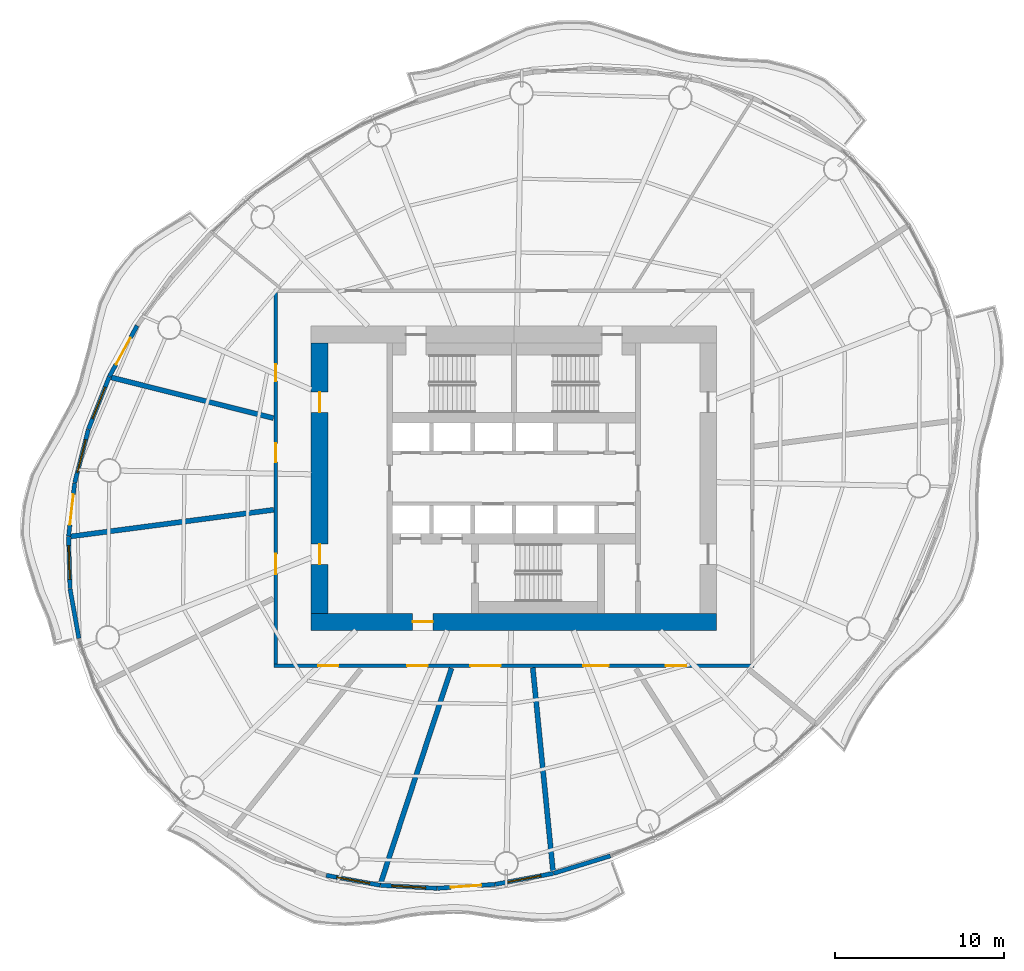
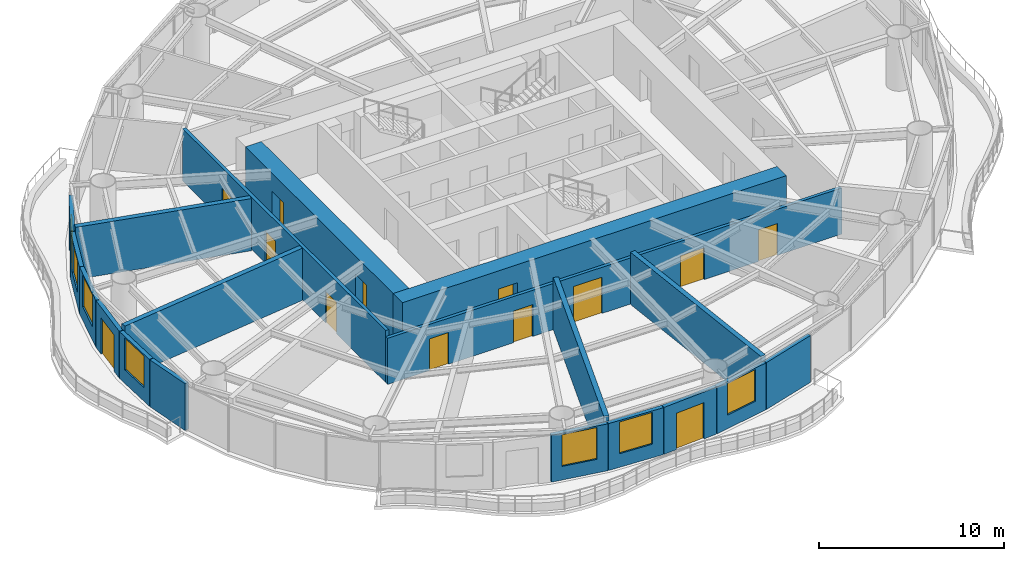
# One storey, part 8 of 14: 19 walls, 14 doors, 6 windows, 20 openings.
"""IFC4 building model written with IfcOpenShell, lengths in metres."""

from ifc_helpers import new_model, si_unit, direction, frame, frame_2d, origin, place, context, subcontext, project, spatial, rectangle, extrude, material, layer, layer_set, type_object, element, fill, save


model = new_model("IFC4")

# Units and contexts
model_context = context("Model", 3, precision=1e-05, world=origin(), true_north=direction((0.0, 1.0)))
body_context = subcontext(model_context, "Body", "Model", "MODEL_VIEW")
ifc_project = project(units=[si_unit("LENGTHUNIT", "METRE"), si_unit("AREAUNIT", "SQUARE_METRE"), si_unit("VOLUMEUNIT", "CUBIC_METRE"), si_unit("PLANEANGLEUNIT", "RADIAN"), si_unit("MASSUNIT", "GRAM", prefix="KILO")], contexts=[model_context])

# Site, building, storey
site_placement = place(None, origin())
site = spatial("IfcSite", under=ifc_project, at=site_placement, CompositionType="ELEMENT")
building_placement = place(site_placement, origin())
building = spatial("IfcBuilding", under=site, at=building_placement, Name="Vermilion Reach Broadcast Tower", CompositionType="ELEMENT")
storey_placement = place(building_placement, frame((0.0, 0.0, 165.0)))
storey = spatial("IfcBuildingStorey", under=building, at=storey_placement, Name="L39", CompositionType="ELEMENT", Elevation=165.0)

# Wall, opening, door
ifc_material_1 = material(Name="Concrete C70", Category="concrete")
ifc_layer_1 = layer(ifc_material_1, 1.0)
ifc_layer_set_1 = layer_set([ifc_layer_1], Name="Core outer wall 1000 mm Concrete C70")
wall_type_1 = type_object("IfcWallType", Name="Core outer wall 1000 mm Concrete C70", PredefinedType="SHEAR", material=ifc_layer_set_1)
wall_1_placement = place(storey_placement, frame((-18.0, -8.5, 0.0), z_axis=(0.0, 0.0, 1.0), x_axis=(1.0, 0.0, 0.0)))
wall_1 = element("IfcWall", 1, at=wall_1_placement, inside=storey, type_object=wall_type_1, Name="L39 core wall os", PredefinedType="SHEAR", context=body_context, shape_type="SweptSolid", body=[
    extrude(rectangle(XDim=24.0, YDim=1.0, at=frame_2d((12.0, 0.0))), origin(), (0.0, 0.0, 1.0), 3.300048828125),
])
opening_1_placement = place(wall_1_placement, frame((6.0, 0.0, 0.0)))
opening_1 = element("IfcOpeningElement", 2, at=opening_1_placement, cuts=wall_1, Name="Opening D02", PredefinedType="OPENING", context=body_context, shape_type="SweptSolid", body=[
    extrude(rectangle(XDim=1.199951171875, YDim=2.10009765625, at=frame_2d((0.60009765625, 1.050048828125))), frame((0.0, 0.510009765625, 0.0), z_axis=(0.0, -1.0, 0.0), x_axis=(1.0, 0.0, 0.0)), (0.0, 0.0, 1.0), 1.02001953125),
])
ifc_material_2 = material(Name="Painted steel fire door", Category="steel")
door_type_1 = type_object("IfcDoorType", Name="Firefighting lobby door 1200 x 2100", OperationType="DOUBLE_DOOR_SINGLE_SWING", PredefinedType="NOTDEFINED", material=ifc_material_2)
door_1_placement = place(opening_1_placement, origin())
door_1 = element("IfcDoor", 3, at=door_1_placement, inside=storey, type_object=door_type_1, Name="L39 ffdoor door FFL", OperationType="DOUBLE_DOOR_SINGLE_SWING", OverallHeight=2.10009765625, OverallWidth=1.199951171875, PredefinedType="NOTDEFINED", context=body_context, shape_type="SweptSolid", body=[
    extrude(rectangle(XDim=1.199951171875, YDim=2.10009765625, at=frame_2d((0.60009765625, 1.050048828125))), frame((0.0, 0.02490234375, 0.0), z_axis=(0.0, -1.0, 0.0), x_axis=(1.0, 0.0, 0.0)), (0.0, 0.0, 1.0), 0.050048828125),
])
fill(opening_1, door_1)

# Wall, openings, doors
wall_2_placement = place(storey_placement, frame((-17.5, 8.0, 0.0), z_axis=(0.0, 0.0, 1.0), x_axis=(0.0, -1.0, 0.0)))
wall_2 = element("IfcWall", 4, at=wall_2_placement, inside=storey, type_object=wall_type_1, Name="L39 core wall ow", PredefinedType="SHEAR", context=body_context, shape_type="SweptSolid", body=[
    extrude(rectangle(XDim=16.0, YDim=1.0, at=frame_2d((8.0, 0.0))), origin(), (0.0, 0.0, 1.0), 3.300048828125),
])
opening_2_placement = place(wall_2_placement, frame((11.89990234375, 0.0, 0.0)))
opening_2 = element("IfcOpeningElement", 5, at=opening_2_placement, cuts=wall_2, Name="Opening D03", PredefinedType="OPENING", context=body_context, shape_type="SweptSolid", body=[
    extrude(rectangle(XDim=1.199951171875, YDim=2.10009765625, at=frame_2d((0.60009765625, 1.050048828125))), frame((0.0, 0.510009765625, 0.0), z_axis=(0.0, -1.0, 0.0), x_axis=(1.0, 0.0, 0.0)), (0.0, 0.0, 1.0), 1.02001953125),
])
opening_3_placement = place(wall_2_placement, frame((2.89990234375, 0.0, 0.0)))
opening_3 = element("IfcOpeningElement", 6, at=opening_3_placement, cuts=wall_2, Name="Opening D03", PredefinedType="OPENING", context=body_context, shape_type="SweptSolid", body=[
    extrude(rectangle(XDim=1.199951171875, YDim=2.10009765625, at=frame_2d((0.60009765625, 1.050048828125))), frame((0.0, 0.510009765625, 0.0), z_axis=(0.0, -1.0, 0.0), x_axis=(1.0, 0.0, 0.0)), (0.0, 0.0, 1.0), 1.02001953125),
])
ifc_material_3 = material(Name="Painted steel fire door", Category="steel")
door_type_2 = type_object("IfcDoorType", Name="Core lobby door 1200 x 2100", OperationType="DOUBLE_DOOR_SINGLE_SWING", PredefinedType="NOTDEFINED", material=ifc_material_3)
door_2_placement = place(opening_2_placement, origin())
door_2 = element("IfcDoor", 7, at=door_2_placement, inside=storey, type_object=door_type_2, Name="L39 slot door W0", OperationType="DOUBLE_DOOR_SINGLE_SWING", OverallHeight=2.10009765625, OverallWidth=1.199951171875, PredefinedType="NOTDEFINED", context=body_context, shape_type="SweptSolid", body=[
    extrude(rectangle(XDim=1.199951171875, YDim=2.10009765625, at=frame_2d((0.60009765625, 1.050048828125))), frame((0.0, 0.02490234375, 0.0), z_axis=(0.0, -1.0, 0.0), x_axis=(1.0, 0.0, 0.0)), (0.0, 0.0, 1.0), 0.050048828125),
])
fill(opening_2, door_2)
door_3_placement = place(opening_3_placement, origin())
door_3 = element("IfcDoor", 8, at=door_3_placement, inside=storey, type_object=door_type_2, Name="L39 slot door W1", OperationType="DOUBLE_DOOR_SINGLE_SWING", OverallHeight=2.10009765625, OverallWidth=1.199951171875, PredefinedType="NOTDEFINED", context=body_context, shape_type="SweptSolid", body=[
    extrude(rectangle(XDim=1.199951171875, YDim=2.10009765625, at=frame_2d((0.60009765625, 1.050048828125))), frame((0.0, 0.02490234375, 0.0), z_axis=(0.0, -1.0, 0.0), x_axis=(1.0, 0.0, 0.0)), (0.0, 0.0, 1.0), 0.050048828125),
])
fill(opening_3, door_3)

ifc_material_4 = material(Name="Fire-rated gypsum board partition")
ifc_layer_2 = layer(ifc_material_4, 0.199951171875)
ifc_layer_set_2 = layer_set([ifc_layer_2], Name="Corridor wall 200 fire-rated")
wall_type_2 = type_object("IfcWallType", Name="Corridor wall 200 fire-rated", PredefinedType="PARTITIONING", material=ifc_layer_set_2)
wall_3_placement = place(storey_placement, frame((-20.10009765625, -11.0, 0.0), z_axis=(0.0, 0.0, 1.0), x_axis=(0.0, 1.0, 0.0)))
wall_3 = element("IfcWall", 9, at=wall_3_placement, inside=storey, type_object=wall_type_2, Name="Corridor wall 39.W", PredefinedType="PARTITIONING", context=body_context, shape_type="SweptSolid", body=[
    extrude(rectangle(XDim=22.0, YDim=0.199951171875, at=frame_2d((11.0, 0.0))), origin(), (0.0, 0.0, 1.0), 3.449951171875),
])
opening_4_placement = place(wall_3_placement, frame((16.748046875, 0.0, 0.0)))
opening_4 = element("IfcOpeningElement", 10, at=opening_4_placement, cuts=wall_3, Name="Opening D20", PredefinedType="OPENING", context=body_context, shape_type="SweptSolid", body=[
    extrude(rectangle(XDim=1.0, YDim=2.10009765625, at=frame_2d((0.5, 1.050048828125))), frame((0.0, 0.10986328125, 0.0), z_axis=(0.0, -1.0, 0.0), x_axis=(1.0, 0.0, 0.0)), (0.0, 0.0, 1.0), 0.219970703125),
])
opening_5_placement = place(wall_3_placement, frame((11.958984375, 0.0, 0.0)))
opening_5 = element("IfcOpeningElement", 11, at=opening_5_placement, cuts=wall_3, Name="Opening D28", PredefinedType="OPENING", context=body_context, shape_type="SweptSolid", body=[
    extrude(rectangle(XDim=1.10009765625, YDim=2.10009765625, at=frame_2d((0.550048828125, 1.050048828125))), frame((0.0, 0.10986328125, 0.0), z_axis=(0.0, -1.0, 0.0), x_axis=(1.0, 0.0, 0.0)), (0.0, 0.0, 1.0), 0.219970703125),
])
opening_6_placement = place(wall_3_placement, frame((5.31884765625, 0.0, 0.0)))
opening_6 = element("IfcOpeningElement", 12, at=opening_6_placement, cuts=wall_3, Name="Opening D26", PredefinedType="OPENING", context=body_context, shape_type="SweptSolid", body=[
    extrude(rectangle(XDim=1.199951171875, YDim=2.10009765625, at=frame_2d((0.60009765625, 1.050048828125))), frame((0.0, 0.10986328125, 0.0), z_axis=(0.0, -1.0, 0.0), x_axis=(1.0, 0.0, 0.0)), (0.0, 0.0, 1.0), 0.219970703125),
])
ifc_material_5 = material(Name="Timber door leaf", Category="wood")
door_type_3 = type_object("IfcDoorType", Name="Door single 1000x2100", OperationType="NOTDEFINED", PredefinedType="DOOR", material=ifc_material_5)
door_4_placement = place(opening_4_placement, origin())
door_4 = element("IfcDoor", 13, at=door_4_placement, inside=storey, type_object=door_type_3, Name="Door 39.04", OperationType="SINGLE_SWING_LEFT", OverallHeight=2.10009765625, OverallWidth=1.0, PredefinedType="DOOR", context=body_context, shape_type="SweptSolid", body=[
    extrude(rectangle(XDim=1.0, YDim=2.10009765625, at=frame_2d((0.5, 1.050048828125))), frame((0.0, 0.02490234375, 0.0), z_axis=(0.0, -1.0, 0.0), x_axis=(1.0, 0.0, 0.0)), (0.0, 0.0, 1.0), 0.050048828125),
])
fill(opening_4, door_4)
ifc_material_6 = material(Name="Acoustic sound-lock door leaf")
door_type_4 = type_object("IfcDoorType", Name="Door single 1100x2100", OperationType="NOTDEFINED", PredefinedType="DOOR", material=ifc_material_6)
door_5_placement = place(opening_5_placement, origin())
door_5 = element("IfcDoor", 14, at=door_5_placement, inside=storey, type_object=door_type_4, Name="Door 39.05", OperationType="SINGLE_SWING_RIGHT", OverallHeight=2.10009765625, OverallWidth=1.10009765625, PredefinedType="DOOR", context=body_context, shape_type="SweptSolid", body=[
    extrude(rectangle(XDim=1.10009765625, YDim=2.10009765625, at=frame_2d((0.550048828125, 1.050048828125))), frame((0.0, 0.02490234375, 0.0), z_axis=(0.0, -1.0, 0.0), x_axis=(1.0, 0.0, 0.0)), (0.0, 0.0, 1.0), 0.050048828125),
])
fill(opening_5, door_5)
ifc_material_7 = material(Name="Acoustic timber door leaf", Category="wood")
door_type_5 = type_object("IfcDoorType", Name="Door single 1200x2100", OperationType="NOTDEFINED", PredefinedType="DOOR", material=ifc_material_7)
door_6_placement = place(opening_6_placement, origin())
door_6 = element("IfcDoor", 15, at=door_6_placement, inside=storey, type_object=door_type_5, Name="Door 39.06", OperationType="SINGLE_SWING_LEFT", OverallHeight=2.10009765625, OverallWidth=1.199951171875, PredefinedType="DOOR", context=body_context, shape_type="SweptSolid", body=[
    extrude(rectangle(XDim=1.199951171875, YDim=2.10009765625, at=frame_2d((0.60009765625, 1.050048828125))), frame((0.0, 0.02490234375, 0.0), z_axis=(0.0, -1.0, 0.0), x_axis=(1.0, 0.0, 0.0)), (0.0, 0.0, 1.0), 0.050048828125),
])
fill(opening_6, door_6)

# Walls
ifc_material_8 = material(Name="Double-leaf plasterboard on isolated steel stud", Category="steel")
ifc_layer_3 = layer(ifc_material_8, 0.300048828125)
ifc_layer_set_3 = layer_set([ifc_layer_3], Name="Partition 300 acoustic double leaf")
wall_type_3 = type_object("IfcWallType", Name="Partition 300 acoustic double leaf", PredefinedType="PARTITIONING", material=ifc_layer_set_3)
wall_4_placement = place(storey_placement, frame((-29.838134765625, 5.966796875, 0.0), z_axis=(0.0, 0.0, 1.0), x_axis=(0.970074268606, -0.242808388216, 0.0)))
element("IfcWall", 16, at=wall_4_placement, inside=storey, type_object=wall_type_3, Name="Partition 39.05", PredefinedType="PARTITIONING", context=body_context, shape_type="SweptSolid", body=[
    extrude(rectangle(XDim=9.89794921875, YDim=0.300048828125, at=frame_2d((4.948974609375, 0.0))), origin(), (0.0, 0.0, 1.0), 3.449951171875),
])
wall_5_placement = place(storey_placement, frame((-32.23876953125, -3.4443359375, 0.0), z_axis=(0.0, 0.0, 1.0), x_axis=(0.991492708273, 0.130162242765, 0.0)))
element("IfcWall", 17, at=wall_5_placement, inside=storey, type_object=wall_type_3, Name="Partition 39.06", PredefinedType="PARTITIONING", context=body_context, shape_type="SweptSolid", body=[
    extrude(rectangle(XDim=12.122314453125, YDim=0.300048828125, at=frame_2d((6.06103515625, 0.0))), origin(), (0.0, 0.0, 1.0), 3.449951171875),
])
wall_6_placement = place(storey_placement, frame((-13.888916015625, -23.97021484375, 0.0), z_axis=(0.0, 0.0, 1.0), x_axis=(0.312622092404, 0.94987758545, 0.0)))
element("IfcWall", 18, at=wall_6_placement, inside=storey, type_object=wall_type_3, Name="Partition 39.09", PredefinedType="PARTITIONING", context=body_context, shape_type="SweptSolid", body=[
    extrude(rectangle(XDim=13.394775390625, YDim=0.300048828125, at=frame_2d((6.697265625, 0.0))), origin(), (0.0, 0.0, 1.0), 3.449951171875),
])
wall_7_placement = place(storey_placement, frame((-3.6865234375, -23.26708984375, 0.0), z_axis=(0.0, 0.0, 1.0), x_axis=(-0.098952866834, 0.995092121437, 0.0)))
element("IfcWall", 19, at=wall_7_placement, inside=storey, type_object=wall_type_3, Name="Partition 39.10", PredefinedType="PARTITIONING", context=body_context, shape_type="SweptSolid", body=[
    extrude(rectangle(XDim=12.111572265625, YDim=0.300048828125, at=frame_2d((6.0556640625, 0.0))), origin(), (0.0, 0.0, 1.0), 3.449951171875),
])

# Wall, opening, door
ifc_material_9 = material(Name="Terracotta rainscreen cladding", Category="masonry")
ifc_layer_4 = layer(ifc_material_9, 0.25)
ifc_layer_set_4 = layer_set([ifc_layer_4], Name="Terracotta rainscreen wall 250")
wall_type_4 = type_object("IfcWallType", Name="Terracotta rainscreen wall 250", PredefinedType="SOLIDWALL", material=ifc_layer_set_4)
wall_8_placement = place(storey_placement, frame((-28.30517578125, 9.03173828125, 0.0), z_axis=(0.0, 0.0, 1.0), x_axis=(-0.479577095585, -0.87749974894, 0.0)))
wall_8 = element("IfcWall", 20, at=wall_8_placement, inside=storey, type_object=wall_type_4, Name="External wall L39 16", PredefinedType="SOLIDWALL", context=body_context, shape_type="SweptSolid", body=[
    extrude(rectangle(XDim=3.42041015625, YDim=0.25, at=frame_2d((1.710205078125, 0.0))), origin(), (0.0, 0.0, 1.0), 3.10009765625),
])
opening_7_placement = place(wall_8_placement, frame((0.81005859375, 0.0, 0.0)))
opening_7 = element("IfcOpeningElement", 21, at=opening_7_placement, cuts=wall_8, Name="Opening D70", PredefinedType="OPENING", context=body_context, shape_type="SweptSolid", body=[
    extrude(rectangle(XDim=1.800048828125, YDim=2.39990234375, at=frame_2d((0.89990234375, 1.199951171875))), frame((0.0, 0.135009765625, 0.0), z_axis=(0.0, -1.0, 0.0), x_axis=(1.0, 0.0, 0.0)), (0.0, 0.0, 1.0), 0.27001953125),
])
ifc_material_10 = material(Name="Low-e laminated clear glass in aluminium frame", Category="aluminium")
door_type_6 = type_object("IfcDoorType", Name="Balcony sliding door 1800 x 2400", OperationType="DOUBLE_DOOR_SLIDING", PredefinedType="DOOR", material=ifc_material_10)
door_7_placement = place(opening_7_placement, origin())
door_7 = element("IfcDoor", 22, at=door_7_placement, inside=storey, type_object=door_type_6, Name="Balcony door L39 run 04", OperationType="DOUBLE_DOOR_SLIDING", OverallHeight=2.39990234375, OverallWidth=1.800048828125, PredefinedType="DOOR", context=body_context, shape_type="SweptSolid", body=[
    extrude(rectangle(XDim=1.800048828125, YDim=2.39990234375, at=frame_2d((0.89990234375, 1.199951171875))), frame((0.0, 0.02490234375, 0.0), z_axis=(0.0, -1.0, 0.0), x_axis=(1.0, 0.0, 0.0)), (0.0, 0.0, 1.0), 0.050048828125),
])
fill(opening_7, door_7)

# Wall, opening, window
wall_9_placement = place(storey_placement, frame((-29.95556640625, 6.00927734375, 0.0), z_axis=(0.0, 0.0, 1.0), x_axis=(-0.369043171551, -0.92941225381, 0.0)))
wall_9 = element("IfcWall", 23, at=wall_9_placement, inside=storey, type_object=wall_type_4, Name="External wall L39 17", PredefinedType="SOLIDWALL", context=body_context, shape_type="SweptSolid", body=[
    extrude(rectangle(XDim=3.3369140625, YDim=0.25, at=frame_2d((1.66845703125, 0.0))), origin(), (0.0, 0.0, 1.0), 3.10009765625),
])
opening_8_placement = place(wall_9_placement, frame((0.66845703125, 0.0, 0.89990234375)))
opening_8 = element("IfcOpeningElement", 24, at=opening_8_placement, cuts=wall_9, Name="Opening W03", PredefinedType="OPENING", context=body_context, shape_type="SweptSolid", body=[
    extrude(rectangle(XDim=2.0, YDim=2.10009765625, at=frame_2d((1.0, 1.050048828125))), frame((0.0, 0.135009765625, 0.0), z_axis=(0.0, -1.0, 0.0), x_axis=(1.0, 0.0, 0.0)), (0.0, 0.0, 1.0), 0.27001953125),
])
ifc_material_11 = material(Name="Low-e laminated clear glass in aluminium frame", Category="aluminium")
window_type = type_object("IfcWindowType", Name="Punched window 2000 x 2100 sill 900", PartitioningType="SINGLE_PANEL", PredefinedType="WINDOW", material=ifc_material_11)
window_1_placement = place(opening_8_placement, origin())
window_1 = element("IfcWindow", 25, at=window_1_placement, inside=storey, type_object=window_type, Name="Window L39 17", OverallHeight=2.10009765625, OverallWidth=2.0, PartitioningType="SINGLE_PANEL", PredefinedType="WINDOW", context=body_context, shape_type="SweptSolid", body=[
    extrude(rectangle(XDim=2.0, YDim=2.10009765625, at=frame_2d((1.0, 1.050048828125))), frame((0.0, 0.030029296875, 0.0), z_axis=(0.0, -1.0, 0.0), x_axis=(1.0, 0.0, 0.0)), (0.0, 0.0, 1.0), 0.06005859375),
])
fill(opening_8, window_1)

wall_10_placement = place(storey_placement, frame((-31.194580078125, 2.885009765625, 0.0), z_axis=(0.0, 0.0, 1.0), x_axis=(-0.246989866145, -0.969018062794, 0.0)))
wall_10 = element("IfcWall", 26, at=wall_10_placement, inside=storey, type_object=wall_type_4, Name="External wall L39 18", PredefinedType="SOLIDWALL", context=body_context, shape_type="SweptSolid", body=[
    extrude(rectangle(XDim=3.248046875, YDim=0.25, at=frame_2d((1.6240234375, 0.0))), origin(), (0.0, 0.0, 1.0), 3.10009765625),
])
opening_9_placement = place(wall_10_placement, frame((0.6240234375, 0.0, 0.89990234375)))
opening_9 = element("IfcOpeningElement", 27, at=opening_9_placement, cuts=wall_10, Name="Opening W03", PredefinedType="OPENING", context=body_context, shape_type="SweptSolid", body=[
    extrude(rectangle(XDim=2.0, YDim=2.10009765625, at=frame_2d((1.0, 1.050048828125))), frame((0.0, 0.135009765625, 0.0), z_axis=(0.0, -1.0, 0.0), x_axis=(1.0, 0.0, 0.0)), (0.0, 0.0, 1.0), 0.27001953125),
])
window_2_placement = place(opening_9_placement, origin())
window_2 = element("IfcWindow", 28, at=window_2_placement, inside=storey, type_object=window_type, Name="Window L39 18", OverallHeight=2.10009765625, OverallWidth=2.0, PartitioningType="SINGLE_PANEL", PredefinedType="WINDOW", context=body_context, shape_type="SweptSolid", body=[
    extrude(rectangle(XDim=2.0, YDim=2.10009765625, at=frame_2d((1.0, 1.050048828125))), frame((0.0, 0.030029296875, 0.0), z_axis=(0.0, -1.0, 0.0), x_axis=(1.0, 0.0, 0.0)), (0.0, 0.0, 1.0), 0.06005859375),
])
fill(opening_9, window_2)

# Wall, opening, door
wall_11_placement = place(storey_placement, frame((-32.00146484375, -0.286865234375, 0.0), z_axis=(0.0, 0.0, 1.0), x_axis=(-0.114119674423, -0.993467009975, 0.0)))
wall_11 = element("IfcWall", 29, at=wall_11_placement, inside=storey, type_object=wall_type_4, Name="External wall L39 19", PredefinedType="SOLIDWALL", context=body_context, shape_type="SweptSolid", body=[
    extrude(rectangle(XDim=3.159912109375, YDim=0.25, at=frame_2d((1.580078125, 0.0))), origin(), (0.0, 0.0, 1.0), 3.10009765625),
])
opening_10_placement = place(wall_11_placement, frame((0.679931640625, 0.0, 0.0)))
opening_10 = element("IfcOpeningElement", 30, at=opening_10_placement, cuts=wall_11, Name="Opening D70", PredefinedType="OPENING", context=body_context, shape_type="SweptSolid", body=[
    extrude(rectangle(XDim=1.800048828125, YDim=2.39990234375, at=frame_2d((0.89990234375, 1.199951171875))), frame((0.0, 0.135009765625, 0.0), z_axis=(0.0, -1.0, 0.0), x_axis=(1.0, 0.0, 0.0)), (0.0, 0.0, 1.0), 0.27001953125),
])
door_8_placement = place(opening_10_placement, origin())
door_8 = element("IfcDoor", 31, at=door_8_placement, inside=storey, type_object=door_type_6, Name="Balcony door L39 run 05", OperationType="DOUBLE_DOOR_SLIDING", OverallHeight=2.39990234375, OverallWidth=1.800048828125, PredefinedType="DOOR", context=body_context, shape_type="SweptSolid", body=[
    extrude(rectangle(XDim=1.800048828125, YDim=2.39990234375, at=frame_2d((0.89990234375, 1.199951171875))), frame((0.0, 0.02490234375, 0.0), z_axis=(0.0, -1.0, 0.0), x_axis=(1.0, 0.0, 0.0)), (0.0, 0.0, 1.0), 0.050048828125),
])
fill(opening_10, door_8)

# Wall, opening, window
wall_12_placement = place(storey_placement, frame((-32.36328125, -3.45166015625, 0.0), z_axis=(0.0, 0.0, 1.0), x_axis=(0.027916757258, -0.99961025138, 0.0)))
wall_12 = element("IfcWall", 32, at=wall_12_placement, inside=storey, type_object=wall_type_4, Name="External wall L39 20", PredefinedType="SOLIDWALL", context=body_context, shape_type="SweptSolid", body=[
    extrude(rectangle(XDim=3.078369140625, YDim=0.25, at=frame_2d((1.5390625, 0.0))), origin(), (0.0, 0.0, 1.0), 3.10009765625),
])
opening_11_placement = place(wall_12_placement, frame((0.5390625, 0.0, 0.89990234375)))
opening_11 = element("IfcOpeningElement", 33, at=opening_11_placement, cuts=wall_12, Name="Opening W03", PredefinedType="OPENING", context=body_context, shape_type="SweptSolid", body=[
    extrude(rectangle(XDim=2.0, YDim=2.10009765625, at=frame_2d((1.0, 1.050048828125))), frame((0.0, 0.135009765625, 0.0), z_axis=(0.0, -1.0, 0.0), x_axis=(1.0, 0.0, 0.0)), (0.0, 0.0, 1.0), 0.27001953125),
])
window_3_placement = place(opening_11_placement, origin())
window_3 = element("IfcWindow", 34, at=window_3_placement, inside=storey, type_object=window_type, Name="Window L39 20", OverallHeight=2.10009765625, OverallWidth=2.0, PartitioningType="SINGLE_PANEL", PredefinedType="WINDOW", context=body_context, shape_type="SweptSolid", body=[
    extrude(rectangle(XDim=2.0, YDim=2.10009765625, at=frame_2d((1.0, 1.050048828125))), frame((0.0, 0.030029296875, 0.0), z_axis=(0.0, -1.0, 0.0), x_axis=(1.0, 0.0, 0.0)), (0.0, 0.0, 1.0), 0.06005859375),
])
fill(opening_11, window_3)

# Wall
wall_13_placement = place(storey_placement, frame((-32.274658203125, -6.55517578125, 0.0), z_axis=(0.0, 0.0, 1.0), x_axis=(0.176055314448, -0.984380275226, 0.0)))
element("IfcWall", 35, at=wall_13_placement, inside=storey, type_object=wall_type_4, Name="External wall L39 21", PredefinedType="SOLIDWALL", context=body_context, shape_type="SweptSolid", body=[
    extrude(rectangle(XDim=2.968994140625, YDim=0.25, at=frame_2d((1.484375, 0.0))), origin(), (0.0, 0.0, 1.0), 3.10009765625),
])

# Wall, opening, window
wall_14_placement = place(storey_placement, frame((-17.10986328125, -23.5048828125, 0.0), z_axis=(0.0, 0.0, 1.0), x_axis=(0.983511988616, -0.180842938067, 0.0)))
wall_14 = element("IfcWall", 36, at=wall_14_placement, inside=storey, type_object=wall_type_4, Name="External wall L39 29", PredefinedType="SOLIDWALL", context=body_context, shape_type="SweptSolid", body=[
    extrude(rectangle(XDim=3.248046875, YDim=0.25, at=frame_2d((1.6240234375, 0.0))), origin(), (0.0, 0.0, 1.0), 3.10009765625),
])
opening_12_placement = place(wall_14_placement, frame((0.6240234375, 0.0, 0.89990234375)))
opening_12 = element("IfcOpeningElement", 37, at=opening_12_placement, cuts=wall_14, Name="Opening W03", PredefinedType="OPENING", context=body_context, shape_type="SweptSolid", body=[
    extrude(rectangle(XDim=2.0, YDim=2.10009765625, at=frame_2d((1.0, 1.050048828125))), frame((0.0, 0.135009765625, 0.0), z_axis=(0.0, -1.0, 0.0), x_axis=(1.0, 0.0, 0.0)), (0.0, 0.0, 1.0), 0.27001953125),
])
window_4_placement = place(opening_12_placement, origin())
window_4 = element("IfcWindow", 38, at=window_4_placement, inside=storey, type_object=window_type, Name="Window L39 29", OverallHeight=2.10009765625, OverallWidth=2.0, PartitioningType="SINGLE_PANEL", PredefinedType="WINDOW", context=body_context, shape_type="SweptSolid", body=[
    extrude(rectangle(XDim=2.0, YDim=2.10009765625, at=frame_2d((1.0, 1.050048828125))), frame((0.0, 0.030029296875, 0.0), z_axis=(0.0, -1.0, 0.0), x_axis=(1.0, 0.0, 0.0)), (0.0, 0.0, 1.0), 0.06005859375),
])
fill(opening_12, window_4)

wall_15_placement = place(storey_placement, frame((-13.891357421875, -24.094970703125, 0.0), z_axis=(0.0, 0.0, 1.0), x_axis=(0.998572595535, -0.053411341936, 0.0)))
wall_15 = element("IfcWall", 39, at=wall_15_placement, inside=storey, type_object=wall_type_4, Name="External wall L39 30", PredefinedType="SOLIDWALL", context=body_context, shape_type="SweptSolid", body=[
    extrude(rectangle(XDim=3.3369140625, YDim=0.25, at=frame_2d((1.66845703125, 0.0))), origin(), (0.0, 0.0, 1.0), 3.10009765625),
])
opening_13_placement = place(wall_15_placement, frame((0.66845703125, 0.0, 0.89990234375)))
opening_13 = element("IfcOpeningElement", 40, at=opening_13_placement, cuts=wall_15, Name="Opening W03", PredefinedType="OPENING", context=body_context, shape_type="SweptSolid", body=[
    extrude(rectangle(XDim=2.0, YDim=2.10009765625, at=frame_2d((1.0, 1.050048828125))), frame((0.0, 0.135009765625, 0.0), z_axis=(0.0, -1.0, 0.0), x_axis=(1.0, 0.0, 0.0)), (0.0, 0.0, 1.0), 0.27001953125),
])
window_5_placement = place(opening_13_placement, origin())
window_5 = element("IfcWindow", 41, at=window_5_placement, inside=storey, type_object=window_type, Name="Window L39 30", OverallHeight=2.10009765625, OverallWidth=2.0, PartitioningType="SINGLE_PANEL", PredefinedType="WINDOW", context=body_context, shape_type="SweptSolid", body=[
    extrude(rectangle(XDim=2.0, YDim=2.10009765625, at=frame_2d((1.0, 1.050048828125))), frame((0.0, 0.030029296875, 0.0), z_axis=(0.0, -1.0, 0.0), x_axis=(1.0, 0.0, 0.0)), (0.0, 0.0, 1.0), 0.06005859375),
])
fill(opening_13, window_5)

# Wall, opening, door
wall_16_placement = place(storey_placement, frame((-10.535888671875, -24.27294921875, 0.0), z_axis=(0.0, 0.0, 1.0), x_axis=(0.997639779644, 0.068664911499, 0.0)))
wall_16 = element("IfcWall", 42, at=wall_16_placement, inside=storey, type_object=wall_type_4, Name="External wall L39 31", PredefinedType="SOLIDWALL", context=body_context, shape_type="SweptSolid", body=[
    extrude(rectangle(XDim=3.42041015625, YDim=0.25, at=frame_2d((1.710205078125, 0.0))), origin(), (0.0, 0.0, 1.0), 3.10009765625),
])
opening_14_placement = place(wall_16_placement, frame((0.81005859375, 0.0, 0.0)))
opening_14 = element("IfcOpeningElement", 43, at=opening_14_placement, cuts=wall_16, Name="Opening D70", PredefinedType="OPENING", context=body_context, shape_type="SweptSolid", body=[
    extrude(rectangle(XDim=1.800048828125, YDim=2.39990234375, at=frame_2d((0.89990234375, 1.199951171875))), frame((0.0, 0.135009765625, 0.0), z_axis=(0.0, -1.0, 0.0), x_axis=(1.0, 0.0, 0.0)), (0.0, 0.0, 1.0), 0.27001953125),
])
door_9_placement = place(opening_14_placement, origin())
door_9 = element("IfcDoor", 44, at=door_9_placement, inside=storey, type_object=door_type_6, Name="Balcony door L39 run 08", OperationType="DOUBLE_DOOR_SLIDING", OverallHeight=2.39990234375, OverallWidth=1.800048828125, PredefinedType="DOOR", context=body_context, shape_type="SweptSolid", body=[
    extrude(rectangle(XDim=1.800048828125, YDim=2.39990234375, at=frame_2d((0.89990234375, 1.199951171875))), frame((0.0, 0.02490234375, 0.0), z_axis=(0.0, -1.0, 0.0), x_axis=(1.0, 0.0, 0.0)), (0.0, 0.0, 1.0), 0.050048828125),
])
fill(opening_14, door_9)

# Wall, opening, window
wall_17_placement = place(storey_placement, frame((-7.10107421875, -24.035400390625, 0.0), z_axis=(0.0, 0.0, 1.0), x_axis=(0.982808840364, 0.184626063442, 0.0)))
wall_17 = element("IfcWall", 45, at=wall_17_placement, inside=storey, type_object=wall_type_4, Name="External wall L39 32", PredefinedType="SOLIDWALL", context=body_context, shape_type="SweptSolid", body=[
    extrude(rectangle(XDim=3.49365234375, YDim=0.25, at=frame_2d((1.746826171875, 0.0))), origin(), (0.0, 0.0, 1.0), 3.10009765625),
])
opening_15_placement = place(wall_17_placement, frame((0.746826171875, 0.0, 0.89990234375)))
opening_15 = element("IfcOpeningElement", 46, at=opening_15_placement, cuts=wall_17, Name="Opening W03", PredefinedType="OPENING", context=body_context, shape_type="SweptSolid", body=[
    extrude(rectangle(XDim=2.0, YDim=2.10009765625, at=frame_2d((1.0, 1.050048828125))), frame((0.0, 0.135009765625, 0.0), z_axis=(0.0, -1.0, 0.0), x_axis=(1.0, 0.0, 0.0)), (0.0, 0.0, 1.0), 0.27001953125),
])
window_6_placement = place(opening_15_placement, origin())
window_6 = element("IfcWindow", 47, at=window_6_placement, inside=storey, type_object=window_type, Name="Window L39 32", OverallHeight=2.10009765625, OverallWidth=2.0, PartitioningType="SINGLE_PANEL", PredefinedType="WINDOW", context=body_context, shape_type="SweptSolid", body=[
    extrude(rectangle(XDim=2.0, YDim=2.10009765625, at=frame_2d((1.0, 1.050048828125))), frame((0.0, 0.030029296875, 0.0), z_axis=(0.0, -1.0, 0.0), x_axis=(1.0, 0.0, 0.0)), (0.0, 0.0, 1.0), 0.06005859375),
])
fill(opening_15, window_6)

# Wall
wall_18_placement = place(storey_placement, frame((-3.64599609375, -23.38525390625, 0.0), z_axis=(0.0, 0.0, 1.0), x_axis=(0.955795559149, 0.294032054565, 0.0)))
element("IfcWall", 48, at=wall_18_placement, inside=storey, type_object=wall_type_4, Name="External wall L39 33", PredefinedType="SOLIDWALL", context=body_context, shape_type="SweptSolid", body=[
    extrude(rectangle(XDim=3.508056640625, YDim=0.25, at=frame_2d((1.75390625, 0.0))), origin(), (0.0, 0.0, 1.0), 3.10009765625),
])

# Wall, openings, doors
ifc_material_12 = material(Name="Fire-rated gypsum board partition")
ifc_layer_5 = layer(ifc_material_12, 0.199951171875)
ifc_layer_set_5 = layer_set([ifc_layer_5], Name="Under girder: Corridor wall 200 fire-rated")
wall_type_5 = type_object("IfcWallType", Name="Under girder: Corridor wall 200 fire-rated", PredefinedType="PARTITIONING", material=ifc_layer_set_5)
wall_19_placement = place(storey_placement, frame((8.199951171875, -11.10009765625, 0.0), z_axis=(0.0, 0.0, 1.0), x_axis=(-1.0, 0.0, 0.0)))
wall_19 = element("IfcWall", 49, at=wall_19_placement, inside=storey, type_object=wall_type_5, Name="Corridor wall 39.S", PredefinedType="PARTITIONING", context=body_context, shape_type="SweptSolid", body=[
    extrude(rectangle(XDim=28.39990234375, YDim=0.199951171875, at=frame_2d((14.199951171875, 0.0))), origin(), (0.0, 0.0, 1.0), 3.050048828125),
])
opening_16_placement = place(wall_19_placement, frame((24.589599609375, 0.0, 0.0)))
opening_16 = element("IfcOpeningElement", 50, at=opening_16_placement, cuts=wall_19, Name="Opening D26", PredefinedType="OPENING", context=body_context, shape_type="SweptSolid", body=[
    extrude(rectangle(XDim=1.199951171875, YDim=2.10009765625, at=frame_2d((0.60009765625, 1.050048828125))), frame((0.0, 0.10986328125, 0.0), z_axis=(0.0, -1.0, 0.0), x_axis=(1.0, 0.0, 0.0)), (0.0, 0.0, 1.0), 0.219970703125),
])
opening_17_placement = place(wall_19_placement, frame((19.315673828125, 0.0, 0.0)))
opening_17 = element("IfcOpeningElement", 51, at=opening_17_placement, cuts=wall_19, Name="Opening D26", PredefinedType="OPENING", context=body_context, shape_type="SweptSolid", body=[
    extrude(rectangle(XDim=1.199951171875, YDim=2.10009765625, at=frame_2d((0.60009765625, 1.050048828125))), frame((0.0, 0.10986328125, 0.0), z_axis=(0.0, -1.0, 0.0), x_axis=(1.0, 0.0, 0.0)), (0.0, 0.0, 1.0), 0.219970703125),
])
opening_18_placement = place(wall_19_placement, frame((14.986083984375, 0.0, 0.0)))
opening_18 = element("IfcOpeningElement", 52, at=opening_18_placement, cuts=wall_19, Name="Opening D27", PredefinedType="OPENING", context=body_context, shape_type="SweptSolid", body=[
    extrude(rectangle(XDim=1.800048828125, YDim=2.39990234375, at=frame_2d((0.89990234375, 1.199951171875))), frame((0.0, 0.10986328125, 0.0), z_axis=(0.0, -1.0, 0.0), x_axis=(1.0, 0.0, 0.0)), (0.0, 0.0, 1.0), 0.219970703125),
])
opening_19_placement = place(wall_19_placement, frame((8.59423828125, 0.0, 0.0)))
opening_19 = element("IfcOpeningElement", 53, at=opening_19_placement, cuts=wall_19, Name="Opening D24", PredefinedType="OPENING", context=body_context, shape_type="SweptSolid", body=[
    extrude(rectangle(XDim=1.5, YDim=2.10009765625, at=frame_2d((0.75, 1.050048828125))), frame((0.0, 0.10986328125, 0.0), z_axis=(0.0, -1.0, 0.0), x_axis=(1.0, 0.0, 0.0)), (0.0, 0.0, 1.0), 0.219970703125),
])
opening_20_placement = place(wall_19_placement, frame((4.0107421875, 0.0, 0.0)))
opening_20 = element("IfcOpeningElement", 54, at=opening_20_placement, cuts=wall_19, Name="Opening D26", PredefinedType="OPENING", context=body_context, shape_type="SweptSolid", body=[
    extrude(rectangle(XDim=1.199951171875, YDim=2.10009765625, at=frame_2d((0.60009765625, 1.050048828125))), frame((0.0, 0.10986328125, 0.0), z_axis=(0.0, -1.0, 0.0), x_axis=(1.0, 0.0, 0.0)), (0.0, 0.0, 1.0), 0.219970703125),
])
ifc_material_13 = material(Name="Timber door leaf", Category="wood")
door_type_7 = type_object("IfcDoorType", Name="Door pair 1500x2100", OperationType="NOTDEFINED", PredefinedType="DOOR", material=ifc_material_13)
door_10_placement = place(opening_19_placement, origin())
door_10 = element("IfcDoor", 55, at=door_10_placement, inside=storey, type_object=door_type_7, Name="Door 39.10", OperationType="DOUBLE_DOOR_SINGLE_SWING", OverallHeight=2.10009765625, OverallWidth=1.5, PredefinedType="DOOR", context=body_context, shape_type="SweptSolid", body=[
    extrude(rectangle(XDim=1.5, YDim=2.10009765625, at=frame_2d((0.75, 1.050048828125))), frame((0.0, 0.02490234375, 0.0), z_axis=(0.0, -1.0, 0.0), x_axis=(1.0, 0.0, 0.0)), (0.0, 0.0, 1.0), 0.050048828125),
])
fill(opening_19, door_10)
ifc_material_14 = material(Name="Acoustic timber door leaf", Category="wood")
door_type_8 = type_object("IfcDoorType", Name="Door pair 1800x2400", OperationType="NOTDEFINED", PredefinedType="DOOR", material=ifc_material_14)
door_11_placement = place(opening_18_placement, origin())
door_11 = element("IfcDoor", 56, at=door_11_placement, inside=storey, type_object=door_type_8, Name="Door 39.09", OperationType="DOUBLE_DOOR_SINGLE_SWING", OverallHeight=2.39990234375, OverallWidth=1.800048828125, PredefinedType="DOOR", context=body_context, shape_type="SweptSolid", body=[
    extrude(rectangle(XDim=1.800048828125, YDim=2.39990234375, at=frame_2d((0.89990234375, 1.199951171875))), frame((0.0, 0.02490234375, 0.0), z_axis=(0.0, -1.0, 0.0), x_axis=(1.0, 0.0, 0.0)), (0.0, 0.0, 1.0), 0.050048828125),
])
fill(opening_18, door_11)
door_12_placement = place(opening_16_placement, origin())
door_12 = element("IfcDoor", 57, at=door_12_placement, inside=storey, type_object=door_type_5, Name="Door 39.07", OperationType="SINGLE_SWING_LEFT", OverallHeight=2.10009765625, OverallWidth=1.199951171875, PredefinedType="DOOR", context=body_context, shape_type="SweptSolid", body=[
    extrude(rectangle(XDim=1.199951171875, YDim=2.10009765625, at=frame_2d((0.60009765625, 1.050048828125))), frame((0.0, 0.02490234375, 0.0), z_axis=(0.0, -1.0, 0.0), x_axis=(1.0, 0.0, 0.0)), (0.0, 0.0, 1.0), 0.050048828125),
])
fill(opening_16, door_12)
door_13_placement = place(opening_17_placement, origin())
door_13 = element("IfcDoor", 58, at=door_13_placement, inside=storey, type_object=door_type_5, Name="Door 39.08", OperationType="SINGLE_SWING_LEFT", OverallHeight=2.10009765625, OverallWidth=1.199951171875, PredefinedType="DOOR", context=body_context, shape_type="SweptSolid", body=[
    extrude(rectangle(XDim=1.199951171875, YDim=2.10009765625, at=frame_2d((0.60009765625, 1.050048828125))), frame((0.0, 0.02490234375, 0.0), z_axis=(0.0, -1.0, 0.0), x_axis=(1.0, 0.0, 0.0)), (0.0, 0.0, 1.0), 0.050048828125),
])
fill(opening_17, door_13)
door_14_placement = place(opening_20_placement, origin())
door_14 = element("IfcDoor", 59, at=door_14_placement, inside=storey, type_object=door_type_5, Name="Door 39.11", OperationType="SINGLE_SWING_RIGHT", OverallHeight=2.10009765625, OverallWidth=1.199951171875, PredefinedType="DOOR", context=body_context, shape_type="SweptSolid", body=[
    extrude(rectangle(XDim=1.199951171875, YDim=2.10009765625, at=frame_2d((0.60009765625, 1.050048828125))), frame((0.0, 0.02490234375, 0.0), z_axis=(0.0, -1.0, 0.0), x_axis=(1.0, 0.0, 0.0)), (0.0, 0.0, 1.0), 0.050048828125),
])
fill(opening_20, door_14)

save(model, "model.ifc")
